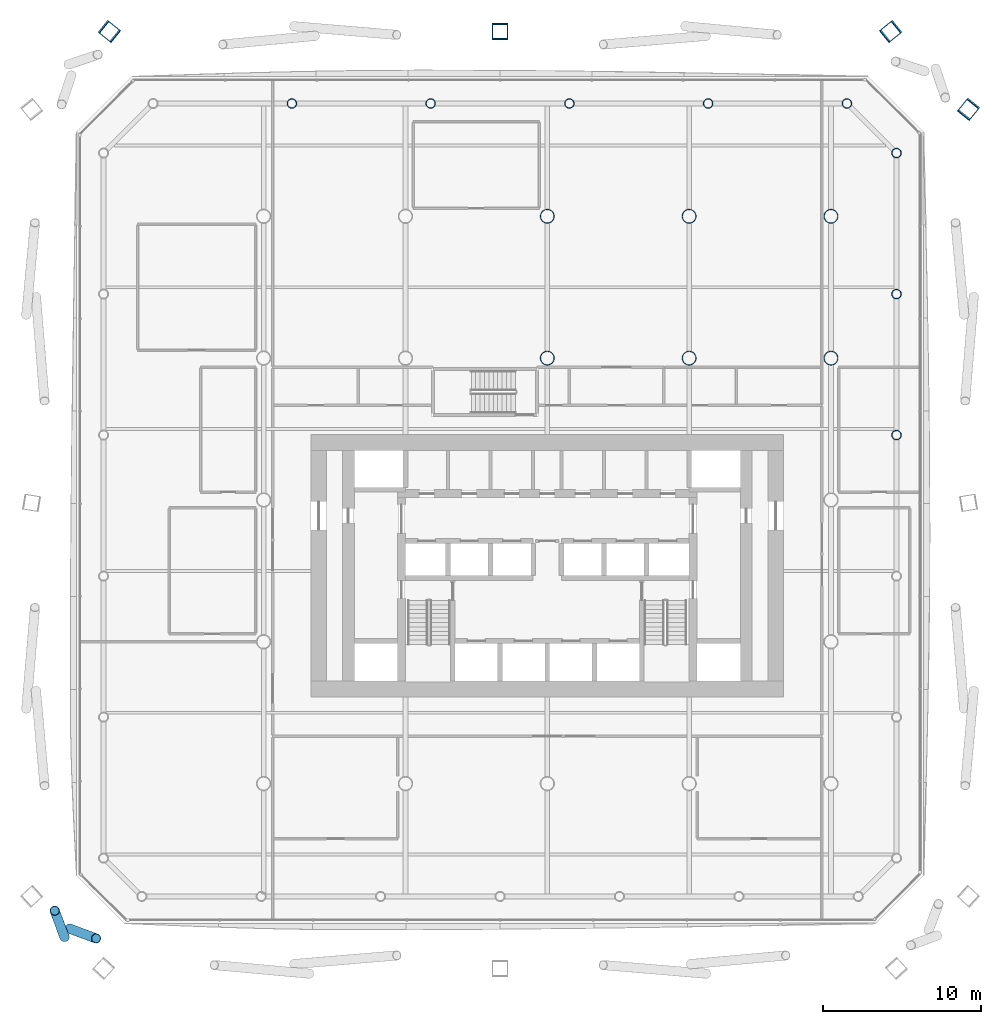
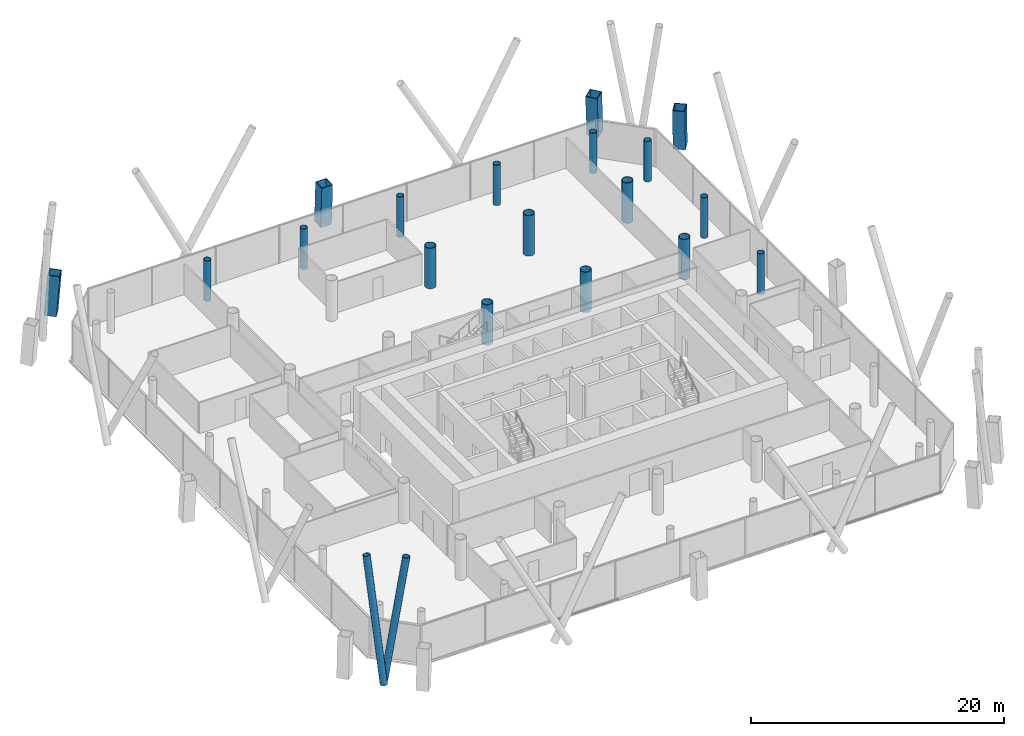
# One storey, part 2 of 25: 18 columns, 2 members.
"""IFC4 building model written with IfcOpenShell, lengths in metres."""

from ifc_helpers import new_model, si_unit, direction, frame, origin, origin_2d, place, context, subcontext, project, spatial, hollow_rectangle, hollow_circle, extrude, material, material_profile, profile_set, type_object, element, save


model = new_model("IFC4")

# Units and contexts
model_context = context("Model", 3, precision=1e-05, world=origin(), true_north=direction((0.0, 1.0)))
body_context = subcontext(model_context, "Body", "Model", "MODEL_VIEW")
ifc_project = project(units=[si_unit("LENGTHUNIT", "METRE"), si_unit("AREAUNIT", "SQUARE_METRE"), si_unit("VOLUMEUNIT", "CUBIC_METRE"), si_unit("PLANEANGLEUNIT", "RADIAN"), si_unit("MASSUNIT", "GRAM", prefix="KILO")], contexts=[model_context])

# Site, building, storey
site_placement = place(None, origin())
site = spatial("IfcSite", under=ifc_project, at=site_placement, CompositionType="ELEMENT")
building_placement = place(site_placement, origin())
building = spatial("IfcBuilding", under=site, at=building_placement, Name="Tskaro Facet Tower", CompositionType="ELEMENT")
storey_placement = place(building_placement, frame((0.0, 0.0, 34.199951171875)))
storey = spatial("IfcBuildingStorey", under=building, at=storey_placement, Name="L07", CompositionType="ELEMENT", Elevation=34.199951171875)

# Columns
ifc_material_1 = material(Name="Steel S460M", Category="steel")
ifc_material_profile_1 = material_profile(ifc_material_1, hollow_rectangle(XDim=1.0, YDim=1.0, WallThickness=0.06005859375, at=origin_2d()), Name="BOX 1000x1000x60")
ifc_profile_set_1 = profile_set([ifc_material_profile_1], Name="Steel S460M")
column_type_1 = type_object("IfcColumnType", Name="BOX 1000x1000x60 mega column", PredefinedType="COLUMN", material=ifc_profile_set_1)
for number, where, z_axis, x_axis, name in (
    (1, (26.75390625, 24.822021484375, 0.0), (-0.046506840819, -0.057805818253, 0.997244002806), (0.779141980058, -0.626847489356, 0.0), "BOX 1000x1000x60 MC06/1"),
    (2, (21.822021484375, 29.75390625, 0.0), (-0.057805818253, -0.046506840819, 0.997244002806), (0.626847489356, -0.779141980058, 0.0), "BOX 1000x1000x60 MC07/1"),
):
    element("IfcColumn", number, at=place(storey_placement, frame(where, z_axis=z_axis, x_axis=x_axis)), inside=storey, type_object=column_type_1, Name=name, PredefinedType="COLUMN", context=body_context, shape_type="SweptSolid", body=[
        extrude(hollow_rectangle(XDim=1.0, YDim=1.0, WallThickness=0.06005859375, at=origin_2d()), origin(), (0.0, 0.0, 1.0), 3.910888671875),
    ])
column_1_placement = place(storey_placement, frame((-3.0, 29.75390625, 0.0), z_axis=(0.0, -0.046584737692, 0.99891434178), x_axis=(1.0, 0.0, 0.0)))
element("IfcColumn", 3, at=column_1_placement, inside=storey, type_object=column_type_1, Name="BOX 1000x1000x60 MC08/1", PredefinedType="COLUMN", context=body_context, shape_type="SweptSolid", body=[
    extrude(hollow_rectangle(XDim=1.0, YDim=1.0, WallThickness=0.06005859375, at=origin_2d()), origin(), (0.0, 0.0, 1.0), 3.904296875),
])
column_2_placement = place(storey_placement, frame((-27.822021484375, 29.75390625, 0.0), z_axis=(0.057805818253, -0.046506840819, 0.997244002806), x_axis=(0.626847489356, 0.779141980058, 0.0)))
element("IfcColumn", 4, at=column_2_placement, inside=storey, type_object=column_type_1, Name="BOX 1000x1000x60 MC09/1", PredefinedType="COLUMN", context=body_context, shape_type="SweptSolid", body=[
    extrude(hollow_rectangle(XDim=1.0, YDim=1.0, WallThickness=0.06005859375, at=origin_2d()), origin(), (0.0, 0.0, 1.0), 3.910888671875),
])
ifc_material_2 = material(Name="Steel S355J2H", Category="steel")
ifc_material_profile_2 = material_profile(ifc_material_2, hollow_circle(Radius=0.304931640625, WallThickness=0.030029296875, at=origin_2d()), Name="CHS 610x30")
ifc_profile_set_2 = profile_set([ifc_material_profile_2], Name="Steel S355J2H")
column_type_2 = type_object("IfcColumnType", Name="CHS 610x30 ring column", PredefinedType="COLUMN", material=ifc_profile_set_2)
for number, where, z_axis, x_axis, name in (
    (5, (22.156982421875, 4.115966796875, 0.0), (0.0, 0.0, 1.0), (1.0, 0.0, 0.0), "CHS 610x30 RE-4/1"),
    (6, (22.156982421875, 13.06396484375, 0.0), (0.0, 0.0, 1.0), (1.0, 0.0, 0.0), "CHS 610x30 RE-5/1"),
    (7, (22.156982421875, 22.011962890625, 0.0), (0.0, 0.0, 1.0), (1.0, 0.0, 0.0), "CHS 610x30 RNE-1/1"),
    (8, (19.011962890625, 25.156982421875, 0.0), (0.0, 0.0, 1.0), (1.0, 0.0, 0.0), "CHS 610x30 RN-1/1"),
    (9, (10.20703125, 25.156982421875, 0.0), (0.0, 0.0, 1.0), (1.0, 0.0, 0.0), "CHS 610x30 RN-2/1"),
    (10, (1.402099609375, 25.156982421875, 0.0), (0.0, 0.0, 1.0), (1.0, 0.0, 0.0), "CHS 610x30 RN-3/1"),
    (11, (-7.402099609375, 25.156982421875, 0.0), (0.0, 0.0, 1.0), (1.0, 0.0, 0.0), "CHS 610x30 RN-4/1"),
    (12, (-16.20703125, 25.156982421875, 0.0), (0.0, 0.0, 1.0), (1.0, 0.0, 0.0), "CHS 610x30 RN-5/1"),
):
    element("IfcColumn", number, at=place(storey_placement, frame(where, z_axis=z_axis, x_axis=x_axis)), inside=storey, type_object=column_type_2, Name=name, PredefinedType="COLUMN", context=body_context, shape_type="SweptSolid", body=[
        extrude(hollow_circle(Radius=0.304931640625, WallThickness=0.030029296875, at=origin_2d()), origin(), (0.0, 0.0, 1.0), 3.900146484375),
    ])
ifc_material_profile_3 = material_profile(ifc_material_2, hollow_circle(Radius=0.457275390625, WallThickness=0.050048828125, at=origin_2d()), Name="CHS 914.4x50")
ifc_profile_set_3 = profile_set([ifc_material_profile_3], Name="Steel S355J2H")
column_type_3 = type_object("IfcColumnType", Name="CHS 914.4x50 interior column", PredefinedType="COLUMN", material=ifc_profile_set_3)
for number, where, z_axis, x_axis, name in (
    (13, (0.0, 9.0, 0.0), (0.0, 0.0, 1.0), (1.0, 0.0, 0.0), "CHS 914.4x50 C4E/1"),
    (14, (0.0, 18.0, 0.0), (0.0, 0.0, 1.0), (1.0, 0.0, 0.0), "CHS 914.4x50 C4F/1"),
    (15, (9.0, 9.0, 0.0), (0.0, 0.0, 1.0), (1.0, 0.0, 0.0), "CHS 914.4x50 C5E/1"),
    (16, (9.0, 18.0, 0.0), (0.0, 0.0, 1.0), (1.0, 0.0, 0.0), "CHS 914.4x50 C5F/1"),
    (17, (18.0, 9.0, 0.0), (0.0, 0.0, 1.0), (1.0, 0.0, 0.0), "CHS 914.4x50 C6E/1"),
    (18, (18.0, 18.0, 0.0), (0.0, 0.0, 1.0), (1.0, 0.0, 0.0), "CHS 914.4x50 C6F/1"),
):
    element("IfcColumn", number, at=place(storey_placement, frame(where, z_axis=z_axis, x_axis=x_axis)), inside=storey, type_object=column_type_3, Name=name, PredefinedType="COLUMN", context=body_context, shape_type="SweptSolid", body=[
        extrude(hollow_circle(Radius=0.457275390625, WallThickness=0.050048828125, at=origin_2d()), origin(), (0.0, 0.0, 1.0), 3.900146484375),
    ])

# Members
ifc_material_profile_4 = material_profile(ifc_material_2, hollow_circle(Radius=0.304931640625, WallThickness=0.030029296875, at=origin_2d()), Name="CHS 610x30")
ifc_profile_set_4 = profile_set([ifc_material_profile_4], Name="Steel S355J2H")
member_type = type_object("IfcMemberType", Name="CHS 610x30 brace", PredefinedType="BRACE", material=ifc_profile_set_4)
for number, where, z_axis, x_axis, name in (
    (19, (-30.29931640625, -27.204345703125, 0.0), (0.140901160262, -0.052337663775, 0.988639283049), (0.348203759663, 0.937418872093, 0.0), "CHS 610x30 XB12A/1"),
    (20, (-30.6357421875, -27.730712890625, 0.0), (-0.052337663775, 0.140901160262, 0.988639283049), (-0.937418872093, -0.348203759663, 0.0), "CHS 610x30 XB12B/1"),
):
    element("IfcMember", number, at=place(storey_placement, frame(where, z_axis=z_axis, x_axis=x_axis)), inside=storey, type_object=member_type, Name=name, PredefinedType="BRACE", context=body_context, shape_type="SweptSolid", body=[
        extrude(hollow_circle(Radius=0.304931640625, WallThickness=0.030029296875, at=origin_2d()), origin(), (0.0, 0.0, 1.0), 11.83447265625),
    ])

save(model, "model.ifc")
